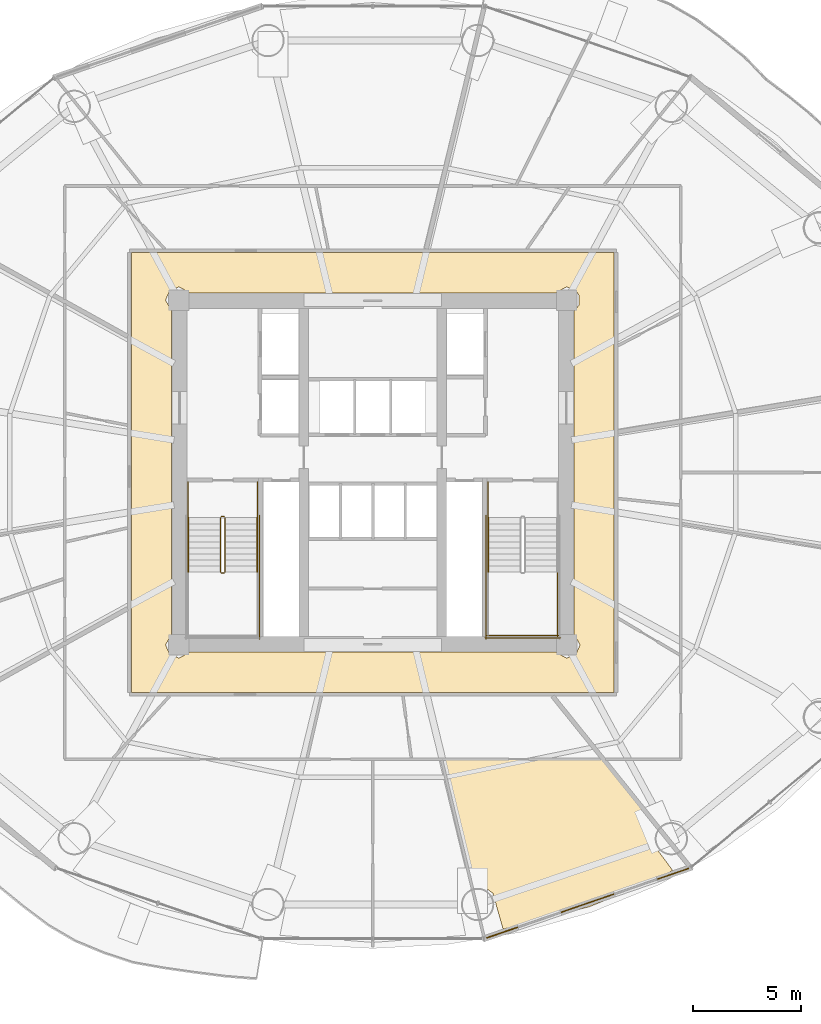
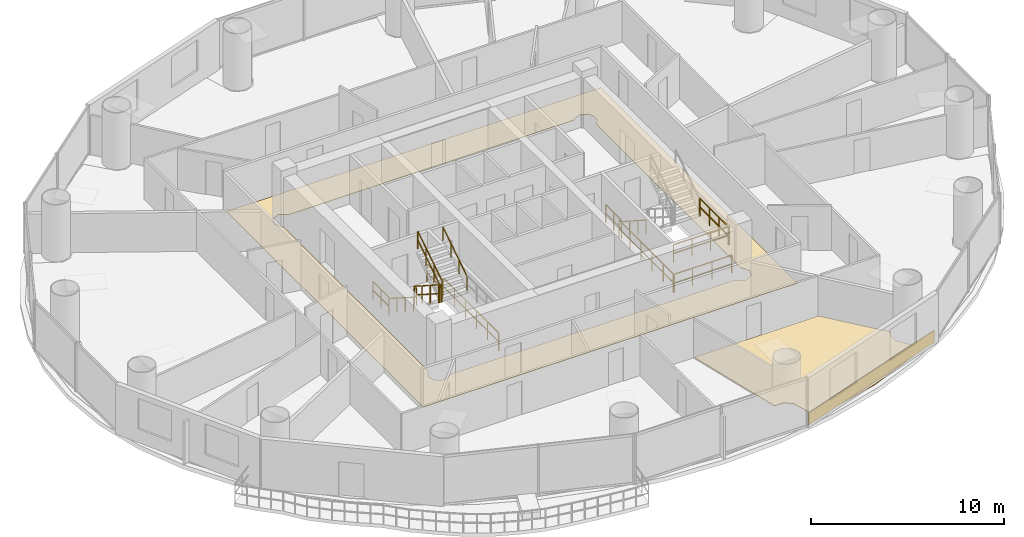
# One storey, part 27 of 29: 15 railings, 3 coverings.
"""IFC4 building model written with IfcOpenShell, lengths in metres."""

from ifc_helpers import new_model, si_unit, direction, frame, origin, origin_2d, place, context, subcontext, project, spatial, polyline, rectangle, outline, extrude, source, transform, mapped, material, layer, layer_set, type_object, element, save


model = new_model("IFC4")

# Units and contexts
model_context = context("Model", 3, precision=1e-05, world=origin(), true_north=direction((-0.2419218956, 0.970295726276)))
body_context = subcontext(model_context, "Body", "Model", "MODEL_VIEW")
ifc_project = project(units=[si_unit("LENGTHUNIT", "METRE"), si_unit("AREAUNIT", "SQUARE_METRE"), si_unit("VOLUMEUNIT", "CUBIC_METRE"), si_unit("PLANEANGLEUNIT", "RADIAN"), si_unit("MASSUNIT", "GRAM", prefix="KILO")], contexts=[model_context])

# Site, building, storey
site_placement = place(None, origin())
site = spatial("IfcSite", under=ifc_project, at=site_placement, CompositionType="ELEMENT")
building_placement = place(site_placement, origin())
building = spatial("IfcBuilding", under=site, at=building_placement, Name="Cobrevalo Terracotta Tower", CompositionType="ELEMENT")
storey_placement = place(building_placement, frame((0.0, 0.0, 126.60009765625)))
storey = spatial("IfcBuildingStorey", under=building, at=storey_placement, Name="L33", CompositionType="ELEMENT", Elevation=126.60009765625)

# Coverings
ifc_material_1 = material(Name="Engineered Brazilian hardwood flooring", Category="wood")
ifc_layer_1 = layer(ifc_material_1, 0.028076171875)
ifc_layer_set_1 = layer_set([ifc_layer_1], Name="Engineered Brazilian hardwood flooring")
covering_type_1 = type_object("IfcCoveringType", Name="Engineered Hardwood Suite Flooring 28", PredefinedType="FLOORING", material=ifc_layer_set_1)
covering_1_placement = place(storey_placement, origin())
element("IfcCovering", 1, at=covering_1_placement, inside=storey, type_object=covering_type_1, Name="Flat L33D Penthouse Family Lounge floor finish", PredefinedType="FLOORING", context=body_context, shape_type="SweptSolid", body=[
    extrude(outline(polyline([(44.05078125, 5.59814453125), (43.578125, 7.261962890625), (43.170166015625, 7.5693359375), (42.62109375, 7.584716796875), (41.210693359375, 13.47509765625), (48.690673828125, 13.47509765625), (51.193359375, 10.36328125), (51.02001953125, 10.0546875), (51.0185546875, 9.543701171875), (51.92431640625, 8.32666015625), (51.161376953125, 7.904052734375), (48.073486328125, 6.641357421875), (44.05078125, 5.59814453125)])), origin(), (0.0, 0.0, 1.0), 0.02978515625),
])
ifc_material_2 = material(Name="Honed terracotta and granite tile", Category="masonry")
ifc_layer_2 = layer(ifc_material_2, 0.034912109375)
ifc_layer_set_2 = layer_set([ifc_layer_2], Name="Honed terracotta and granite tile")
covering_type_2 = type_object("IfcCoveringType", Name="Honed Terracotta & Granite Interior Flooring 35", PredefinedType="FLOORING", material=ifc_layer_set_2)
covering_2_placement = place(storey_placement, origin())
element("IfcCovering", 2, at=covering_2_placement, inside=storey, type_object=covering_type_2, Name="L33 Residential Floor Corridor floor finish", PredefinedType="FLOORING", context=body_context, shape_type="SweptSolid", body=[
    extrude(outline(polyline([(49.205078125, 37.0048828125), (49.205078125, 16.594970703125), (26.794921875, 16.594970703125), (26.794921875, 37.0048828125), (49.205078125, 37.0048828125)]), holes=[polyline([(47.344970703125, 34.298828125), (47.5732421875, 34.5625), (47.5732421875, 35.037353515625), (47.438720703125, 35.23876953125), (47.0, 35.42041015625), (46.498779296875, 35.14501953125), (29.501220703125, 35.14501953125), (29.0, 35.42041015625), (28.561279296875, 35.23876953125), (28.379638671875, 34.800048828125), (28.655029296875, 34.298828125), (28.655029296875, 19.30126953125), (28.379638671875, 18.800048828125), (28.561279296875, 18.361328125), (29.0, 18.1796875), (29.501220703125, 18.455078125), (46.498779296875, 18.455078125), (47.0, 18.1796875), (47.438720703125, 18.361328125), (47.620361328125, 18.800048828125), (47.344970703125, 19.30126953125), (47.344970703125, 34.298828125)])]), origin(), (0.0, 0.0, 1.0), 0.02978515625),
])

# Railings
ifc_material_3 = material(Name="Brushed stainless steel", Category="steel")
railing_type_1 = type_object("IfcRailingType", Name="Stainless Steel Stair Handrail 900", PredefinedType="HANDRAIL", material=ifc_material_3)
railing_1_placement = place(storey_placement, frame((29.425048828125, 24.699951171875, 0.179931640625)))
element("IfcRailing", 3, at=railing_1_placement, inside=storey, type_object=railing_type_1, Name="L33 ST-1 stair handrail 1", PredefinedType="HANDRAIL", context=body_context, shape_type="SweptSolid", body=[
    extrude(rectangle(XDim=0.048095703125, YDim=0.048095703125, at=origin_2d()), frame((0.0, 0.0, 0.8759765625), z_axis=(0.0, -0.841199657755, 0.540724639528), x_axis=(1.0, 0.0, 0.0)), (0.0, 0.0, 1.0), 2.995849609375),
    extrude(rectangle(XDim=0.0419921875, YDim=0.0419921875, at=origin_2d()), origin(), (0.0, 0.0, 1.0), 0.851806640625),
    extrude(rectangle(XDim=0.0419921875, YDim=0.0419921875, at=origin_2d()), frame((0.0, -0.840087890625, 0.5400390625)), (0.0, 0.0, 1.0), 0.851806640625),
    extrude(rectangle(XDim=0.0419921875, YDim=0.0419921875, at=origin_2d()), frame((0.0, -1.679931640625, 1.079833984375)), (0.0, 0.0, 1.0), 0.851806640625),
    extrude(rectangle(XDim=0.0419921875, YDim=0.0419921875, at=origin_2d()), frame((0.0, -2.52001953125, 1.619873046875)), (0.0, 0.0, 1.0), 0.851806640625),
])
railing_2_placement = place(storey_placement, frame((32.64501953125, 22.179931640625, 1.97998046875)))
element("IfcRailing", 4, at=railing_2_placement, inside=storey, type_object=railing_type_1, Name="L33 ST-1 stair handrail 2", PredefinedType="HANDRAIL", context=body_context, shape_type="SweptSolid", body=[
    extrude(rectangle(XDim=0.048095703125, YDim=0.048095703125, at=origin_2d()), frame((0.0, 0.0, 0.8759765625), z_axis=(0.0, 0.841199657755, 0.540724639528), x_axis=(-1.0, 0.0, 0.0)), (0.0, 0.0, 1.0), 2.995849609375),
    extrude(rectangle(XDim=0.0419921875, YDim=0.0419921875, at=origin_2d()), origin(), (0.0, 0.0, 1.0), 0.851806640625),
    extrude(rectangle(XDim=0.0419921875, YDim=0.0419921875, at=origin_2d()), frame((0.0, 0.840087890625, 0.5400390625)), (0.0, 0.0, 1.0), 0.851806640625),
    extrude(rectangle(XDim=0.0419921875, YDim=0.0419921875, at=origin_2d()), frame((0.0, 1.679931640625, 1.079833984375)), (0.0, 0.0, 1.0), 0.851806640625),
    extrude(rectangle(XDim=0.0419921875, YDim=0.0419921875, at=origin_2d()), frame((0.0, 2.52001953125, 1.619873046875)), (0.0, 0.0, 1.0), 0.851806640625),
])
railing_3_placement = place(storey_placement, frame((43.35498046875, 24.699951171875, 0.179931640625)))
element("IfcRailing", 5, at=railing_3_placement, inside=storey, type_object=railing_type_1, Name="L33 ST-2 stair handrail 1", PredefinedType="HANDRAIL", context=body_context, shape_type="SweptSolid", body=[
    extrude(rectangle(XDim=0.048095703125, YDim=0.048095703125, at=origin_2d()), frame((0.0, 0.0, 0.8759765625), z_axis=(0.0, -0.841199657755, 0.540724639528), x_axis=(1.0, 0.0, 0.0)), (0.0, 0.0, 1.0), 2.995849609375),
    extrude(rectangle(XDim=0.0419921875, YDim=0.0419921875, at=origin_2d()), origin(), (0.0, 0.0, 1.0), 0.851806640625),
    extrude(rectangle(XDim=0.0419921875, YDim=0.0419921875, at=origin_2d()), frame((0.0, -0.840087890625, 0.5400390625)), (0.0, 0.0, 1.0), 0.851806640625),
    extrude(rectangle(XDim=0.0419921875, YDim=0.0419921875, at=origin_2d()), frame((0.0, -1.679931640625, 1.079833984375)), (0.0, 0.0, 1.0), 0.851806640625),
    extrude(rectangle(XDim=0.0419921875, YDim=0.0419921875, at=origin_2d()), frame((0.0, -2.52001953125, 1.619873046875)), (0.0, 0.0, 1.0), 0.851806640625),
])
ifc_material_4 = material(Name="Painted galvanized steel", Category="steel")
railing_type_2 = type_object("IfcRailingType", Name="Stair Well Guard Balustrade 1150", PredefinedType="GUARDRAIL", material=ifc_material_4)
railing_4_placement = place(storey_placement, frame((30.925048828125, 24.699951171875, 0.179931640625)))
element("IfcRailing", 6, at=railing_4_placement, inside=storey, type_object=railing_type_2, Name="L33 ST-1 stair guard 1", PredefinedType="GUARDRAIL", context=body_context, shape_type="SweptSolid", body=[
    extrude(rectangle(XDim=0.048095703125, YDim=0.048095703125, at=origin_2d()), frame((0.0, 0.0, 1.1259765625), z_axis=(0.0, -0.841199657755, 0.540724639528), x_axis=(1.0, 0.0, 0.0)), (0.0, 0.0, 1.0), 2.995849609375),
    extrude(rectangle(XDim=0.048095703125, YDim=0.048095703125, at=origin_2d()), frame((0.0, 0.0, 0.574951171875), z_axis=(0.0, -0.841199657755, 0.540724639528), x_axis=(1.0, 0.0, 0.0)), (0.0, 0.0, 1.0), 2.995849609375),
    extrude(rectangle(XDim=0.0419921875, YDim=0.0419921875, at=origin_2d()), origin(), (0.0, 0.0, 1.0), 1.101806640625),
    extrude(rectangle(XDim=0.0419921875, YDim=0.0419921875, at=origin_2d()), frame((0.0, -0.840087890625, 0.5400390625)), (0.0, 0.0, 1.0), 1.101806640625),
    extrude(rectangle(XDim=0.0419921875, YDim=0.0419921875, at=origin_2d()), frame((0.0, -1.679931640625, 1.079833984375)), (0.0, 0.0, 1.0), 1.101806640625),
    extrude(rectangle(XDim=0.0419921875, YDim=0.0419921875, at=origin_2d()), frame((0.0, -2.52001953125, 1.619873046875)), (0.0, 0.0, 1.0), 1.101806640625),
])
railing_5_placement = place(storey_placement, frame((30.97509765625, 22.1298828125, 1.7998046875)))
element("IfcRailing", 7, at=railing_5_placement, inside=storey, type_object=railing_type_2, Name="L33 ST-1 stair guard 2", PredefinedType="GUARDRAIL", context=body_context, shape_type="SweptSolid", body=[
    extrude(rectangle(XDim=0.048095703125, YDim=0.048095703125, at=origin_2d()), frame((0.0, 0.0, 1.1259765625), z_axis=(1.0, 0.0, 0.0), x_axis=(0.0, 1.0, 0.0)), (0.0, 0.0, 1.0), 0.119873046875),
    extrude(rectangle(XDim=0.048095703125, YDim=0.048095703125, at=origin_2d()), frame((0.0, 0.0, 0.574951171875), z_axis=(1.0, 0.0, 0.0), x_axis=(0.0, 1.0, 0.0)), (0.0, 0.0, 1.0), 0.119873046875),
    extrude(rectangle(XDim=0.0419921875, YDim=0.0419921875, at=origin_2d()), origin(), (0.0, 0.0, 1.0), 1.101806640625),
    extrude(rectangle(XDim=0.0419921875, YDim=0.0419921875, at=origin_2d()), frame((0.119873046875, 0.0, 0.0)), (0.0, 0.0, 1.0), 1.101806640625),
])
railing_6_placement = place(storey_placement, frame((31.14501953125, 22.179931640625, 1.97998046875)))
element("IfcRailing", 8, at=railing_6_placement, inside=storey, type_object=railing_type_2, Name="L33 ST-1 stair guard 6", PredefinedType="GUARDRAIL", context=body_context, shape_type="SweptSolid", body=[
    extrude(rectangle(XDim=0.048095703125, YDim=0.048095703125, at=origin_2d()), frame((0.0, 0.0, 1.1259765625), z_axis=(0.0, 0.841199657755, 0.540724639528), x_axis=(-1.0, 0.0, 0.0)), (0.0, 0.0, 1.0), 2.995849609375),
    extrude(rectangle(XDim=0.048095703125, YDim=0.048095703125, at=origin_2d()), frame((0.0, 0.0, 0.574951171875), z_axis=(0.0, 0.841199657755, 0.540724639528), x_axis=(-1.0, 0.0, 0.0)), (0.0, 0.0, 1.0), 2.995849609375),
    extrude(rectangle(XDim=0.0419921875, YDim=0.0419921875, at=origin_2d()), origin(), (0.0, 0.0, 1.0), 1.101806640625),
    extrude(rectangle(XDim=0.0419921875, YDim=0.0419921875, at=origin_2d()), frame((0.0, 0.840087890625, 0.5400390625)), (0.0, 0.0, 1.0), 1.101806640625),
    extrude(rectangle(XDim=0.0419921875, YDim=0.0419921875, at=origin_2d()), frame((0.0, 1.679931640625, 1.079833984375)), (0.0, 0.0, 1.0), 1.101806640625),
    extrude(rectangle(XDim=0.0419921875, YDim=0.0419921875, at=origin_2d()), frame((0.0, 2.52001953125, 1.619873046875)), (0.0, 0.0, 1.0), 1.101806640625),
])
railing_7_placement = place(storey_placement, frame((30.97509765625, 24.75, 0.0)))
element("IfcRailing", 9, at=railing_7_placement, inside=storey, type_object=railing_type_2, Name="L33 ST-1 stair guard 7", PredefinedType="GUARDRAIL", context=body_context, shape_type="SweptSolid", body=[
    extrude(rectangle(XDim=0.048095703125, YDim=0.048095703125, at=origin_2d()), frame((0.0, 0.0, 1.1259765625), z_axis=(1.0, 0.0, 0.0), x_axis=(0.0, 1.0, 0.0)), (0.0, 0.0, 1.0), 0.119873046875),
    extrude(rectangle(XDim=0.048095703125, YDim=0.048095703125, at=origin_2d()), frame((0.0, 0.0, 0.574951171875), z_axis=(1.0, 0.0, 0.0), x_axis=(0.0, 1.0, 0.0)), (0.0, 0.0, 1.0), 0.119873046875),
    extrude(rectangle(XDim=0.0419921875, YDim=0.0419921875, at=origin_2d()), origin(), (0.0, 0.0, 1.0), 1.101806640625),
    extrude(rectangle(XDim=0.0419921875, YDim=0.0419921875, at=origin_2d()), frame((0.119873046875, 0.0, 0.0)), (0.0, 0.0, 1.0), 1.101806640625),
])
for number, where, name in (
    (10, (29.425048828125, 26.35009765625, 0.0), "L33 ST-1 stair guard 8"),
    (11, (32.64501953125, 26.35009765625, 0.0), "L33 ST-1 stair guard 9"),
):
    element("IfcRailing", number, at=place(storey_placement, frame(where)), inside=storey, type_object=railing_type_2, Name=name, PredefinedType="GUARDRAIL", context=body_context, shape_type="SweptSolid", body=[
        extrude(rectangle(XDim=0.048095703125, YDim=0.048095703125, at=origin_2d()), frame((0.0, 0.0, 1.1259765625), z_axis=(0.0, -1.0, 0.0), x_axis=(1.0, 0.0, 0.0)), (0.0, 0.0, 1.0), 1.650146484375),
        extrude(rectangle(XDim=0.048095703125, YDim=0.048095703125, at=origin_2d()), frame((0.0, 0.0, 0.574951171875), z_axis=(0.0, -1.0, 0.0), x_axis=(1.0, 0.0, 0.0)), (0.0, 0.0, 1.0), 1.650146484375),
        extrude(rectangle(XDim=0.0419921875, YDim=0.0419921875, at=origin_2d()), origin(), (0.0, 0.0, 1.0), 1.101806640625),
        extrude(rectangle(XDim=0.0419921875, YDim=0.0419921875, at=origin_2d()), frame((0.0, -0.8251953125, 0.0)), (0.0, 0.0, 1.0), 1.101806640625),
        extrude(rectangle(XDim=0.0419921875, YDim=0.0419921875, at=origin_2d()), frame((0.0, -1.650146484375, 0.0)), (0.0, 0.0, 1.0), 1.101806640625),
    ])
railing_8_placement = place(storey_placement, frame((32.7451171875, 24.800048828125, 0.0)))
element("IfcRailing", 12, at=railing_8_placement, inside=storey, type_object=railing_type_2, Name="L33 ST-1 stair guard 11", PredefinedType="GUARDRAIL", context=body_context, shape_type="SweptSolid", body=[
    extrude(rectangle(XDim=0.048095703125, YDim=0.048095703125, at=origin_2d()), frame((0.0, 0.0, 1.1259765625), z_axis=(0.0, -1.0, 0.0), x_axis=(1.0, 0.0, 0.0)), (0.0, 0.0, 1.0), 5.72509765625),
    extrude(rectangle(XDim=0.048095703125, YDim=0.048095703125, at=origin_2d()), frame((0.0, 0.0, 0.574951171875), z_axis=(0.0, -1.0, 0.0), x_axis=(1.0, 0.0, 0.0)), (0.0, 0.0, 1.0), 5.72509765625),
    extrude(rectangle(XDim=0.0419921875, YDim=0.0419921875, at=origin_2d()), origin(), (0.0, 0.0, 1.0), 1.101806640625),
    extrude(rectangle(XDim=0.0419921875, YDim=0.0419921875, at=origin_2d()), frame((0.0, -1.14501953125, 0.0)), (0.0, 0.0, 1.0), 1.101806640625),
    extrude(rectangle(XDim=0.0419921875, YDim=0.0419921875, at=origin_2d()), frame((0.0, -2.2900390625, 0.0)), (0.0, 0.0, 1.0), 1.101806640625),
    extrude(rectangle(XDim=0.0419921875, YDim=0.0419921875, at=origin_2d()), frame((0.0, -3.43505859375, 0.0)), (0.0, 0.0, 1.0), 1.101806640625),
    extrude(rectangle(XDim=0.0419921875, YDim=0.0419921875, at=origin_2d()), frame((0.0, -4.580078125, 0.0)), (0.0, 0.0, 1.0), 1.101806640625),
    extrude(rectangle(XDim=0.0419921875, YDim=0.0419921875, at=origin_2d()), frame((0.0, -5.72509765625, 0.0)), (0.0, 0.0, 1.0), 1.101806640625),
])
railing_9_placement = place(storey_placement, frame((46.574951171875, 22.179931640625, 1.7998046875)))
element("IfcRailing", 13, at=railing_9_placement, inside=storey, type_object=railing_type_2, Name="L33 ST-2 stair guard 4", PredefinedType="GUARDRAIL", context=body_context, shape_type="SweptSolid", body=[
    extrude(rectangle(XDim=0.048095703125, YDim=0.048095703125, at=origin_2d()), frame((0.0, 0.0, 1.1259765625), z_axis=(0.0, -1.0, 0.0), x_axis=(1.0, 0.0, 0.0)), (0.0, 0.0, 1.0), 3.0048828125),
    extrude(rectangle(XDim=0.048095703125, YDim=0.048095703125, at=origin_2d()), frame((0.0, 0.0, 0.574951171875), z_axis=(0.0, -1.0, 0.0), x_axis=(1.0, 0.0, 0.0)), (0.0, 0.0, 1.0), 3.0048828125),
    extrude(rectangle(XDim=0.0419921875, YDim=0.0419921875, at=origin_2d()), origin(), (0.0, 0.0, 1.0), 1.101806640625),
    extrude(rectangle(XDim=0.0419921875, YDim=0.0419921875, at=origin_2d()), frame((0.0, -1.001708984375, 0.0)), (0.0, 0.0, 1.0), 1.101806640625),
    extrude(rectangle(XDim=0.0419921875, YDim=0.0419921875, at=origin_2d()), frame((0.0, -2.003173828125, 0.0)), (0.0, 0.0, 1.0), 1.101806640625),
    extrude(rectangle(XDim=0.0419921875, YDim=0.0419921875, at=origin_2d()), frame((0.0, -3.0048828125, 0.0)), (0.0, 0.0, 1.0), 1.101806640625),
])
railing_10_placement = place(storey_placement, frame((43.304931640625, 19.22509765625, 1.7998046875)))
element("IfcRailing", 14, at=railing_10_placement, inside=storey, type_object=railing_type_2, Name="L33 ST-2 stair guard 5", PredefinedType="GUARDRAIL", context=body_context, shape_type="SweptSolid", body=[
    extrude(rectangle(XDim=0.048095703125, YDim=0.048095703125, at=origin_2d()), frame((0.0, 0.0, 1.1259765625), z_axis=(1.0, 0.0, 0.0), x_axis=(0.0, 1.0, 0.0)), (0.0, 0.0, 1.0), 3.320068359375),
    extrude(rectangle(XDim=0.048095703125, YDim=0.048095703125, at=origin_2d()), frame((0.0, 0.0, 0.574951171875), z_axis=(1.0, 0.0, 0.0), x_axis=(0.0, 1.0, 0.0)), (0.0, 0.0, 1.0), 3.320068359375),
    extrude(rectangle(XDim=0.0419921875, YDim=0.0419921875, at=origin_2d()), origin(), (0.0, 0.0, 1.0), 1.101806640625),
    extrude(rectangle(XDim=0.0419921875, YDim=0.0419921875, at=origin_2d()), frame((1.106689453125, 0.0, 0.0)), (0.0, 0.0, 1.0), 1.101806640625),
    extrude(rectangle(XDim=0.0419921875, YDim=0.0419921875, at=origin_2d()), frame((2.21337890625, 0.0, 0.0)), (0.0, 0.0, 1.0), 1.101806640625),
    extrude(rectangle(XDim=0.0419921875, YDim=0.0419921875, at=origin_2d()), frame((3.320068359375, 0.0, 0.0)), (0.0, 0.0, 1.0), 1.101806640625),
])
railing_11_placement = place(storey_placement, frame((43.35498046875, 26.35009765625, 0.0)))
element("IfcRailing", 15, at=railing_11_placement, inside=storey, type_object=railing_type_2, Name="L33 ST-2 stair guard 8", PredefinedType="GUARDRAIL", context=body_context, shape_type="SweptSolid", body=[
    extrude(rectangle(XDim=0.048095703125, YDim=0.048095703125, at=origin_2d()), frame((0.0, 0.0, 1.1259765625), z_axis=(0.0, -1.0, 0.0), x_axis=(1.0, 0.0, 0.0)), (0.0, 0.0, 1.0), 1.650146484375),
    extrude(rectangle(XDim=0.048095703125, YDim=0.048095703125, at=origin_2d()), frame((0.0, 0.0, 0.574951171875), z_axis=(0.0, -1.0, 0.0), x_axis=(1.0, 0.0, 0.0)), (0.0, 0.0, 1.0), 1.650146484375),
    extrude(rectangle(XDim=0.0419921875, YDim=0.0419921875, at=origin_2d()), origin(), (0.0, 0.0, 1.0), 1.101806640625),
    extrude(rectangle(XDim=0.0419921875, YDim=0.0419921875, at=origin_2d()), frame((0.0, -0.8251953125, 0.0)), (0.0, 0.0, 1.0), 1.101806640625),
    extrude(rectangle(XDim=0.0419921875, YDim=0.0419921875, at=origin_2d()), frame((0.0, -1.650146484375, 0.0)), (0.0, 0.0, 1.0), 1.101806640625),
])
railing_12_placement = place(storey_placement, frame((43.2548828125, 24.800048828125, 0.0)))
element("IfcRailing", 16, at=railing_12_placement, inside=storey, type_object=railing_type_2, Name="L33 ST-2 stair guard 10", PredefinedType="GUARDRAIL", context=body_context, shape_type="SweptSolid", body=[
    extrude(rectangle(XDim=0.048095703125, YDim=0.048095703125, at=origin_2d()), frame((0.0, 0.0, 1.1259765625), z_axis=(0.0, -1.0, 0.0), x_axis=(1.0, 0.0, 0.0)), (0.0, 0.0, 1.0), 5.72509765625),
    extrude(rectangle(XDim=0.048095703125, YDim=0.048095703125, at=origin_2d()), frame((0.0, 0.0, 0.574951171875), z_axis=(0.0, -1.0, 0.0), x_axis=(1.0, 0.0, 0.0)), (0.0, 0.0, 1.0), 5.72509765625),
    extrude(rectangle(XDim=0.0419921875, YDim=0.0419921875, at=origin_2d()), origin(), (0.0, 0.0, 1.0), 1.101806640625),
    extrude(rectangle(XDim=0.0419921875, YDim=0.0419921875, at=origin_2d()), frame((0.0, -1.14501953125, 0.0)), (0.0, 0.0, 1.0), 1.101806640625),
    extrude(rectangle(XDim=0.0419921875, YDim=0.0419921875, at=origin_2d()), frame((0.0, -2.2900390625, 0.0)), (0.0, 0.0, 1.0), 1.101806640625),
    extrude(rectangle(XDim=0.0419921875, YDim=0.0419921875, at=origin_2d()), frame((0.0, -3.43505859375, 0.0)), (0.0, 0.0, 1.0), 1.101806640625),
    extrude(rectangle(XDim=0.0419921875, YDim=0.0419921875, at=origin_2d()), frame((0.0, -4.580078125, 0.0)), (0.0, 0.0, 1.0), 1.101806640625),
    extrude(rectangle(XDim=0.0419921875, YDim=0.0419921875, at=origin_2d()), frame((0.0, -5.72509765625, 0.0)), (0.0, 0.0, 1.0), 1.101806640625),
])
railing_13_placement = place(storey_placement, frame((43.205078125, 19.125, 0.0)))
element("IfcRailing", 17, at=railing_13_placement, inside=storey, type_object=railing_type_2, Name="L33 ST-2 stair guard 12", PredefinedType="GUARDRAIL", context=body_context, shape_type="SweptSolid", body=[
    extrude(rectangle(XDim=0.048095703125, YDim=0.048095703125, at=origin_2d()), frame((0.0, 0.0, 1.1259765625), z_axis=(1.0, 0.0, 0.0), x_axis=(0.0, 1.0, 0.0)), (0.0, 0.0, 1.0), 3.52001953125),
    extrude(rectangle(XDim=0.048095703125, YDim=0.048095703125, at=origin_2d()), frame((0.0, 0.0, 0.574951171875), z_axis=(1.0, 0.0, 0.0), x_axis=(0.0, 1.0, 0.0)), (0.0, 0.0, 1.0), 3.52001953125),
    extrude(rectangle(XDim=0.0419921875, YDim=0.0419921875, at=origin_2d()), origin(), (0.0, 0.0, 1.0), 1.101806640625),
    extrude(rectangle(XDim=0.0419921875, YDim=0.0419921875, at=origin_2d()), frame((1.17333984375, 0.0, 0.0)), (0.0, 0.0, 1.0), 1.101806640625),
    extrude(rectangle(XDim=0.0419921875, YDim=0.0419921875, at=origin_2d()), frame((2.3466796875, 0.0, 0.0)), (0.0, 0.0, 1.0), 1.101806640625),
    extrude(rectangle(XDim=0.0419921875, YDim=0.0419921875, at=origin_2d()), frame((3.52001953125, 0.0, 0.0)), (0.0, 0.0, 1.0), 1.101806640625),
])

# Covering
ifc_material_5 = material(Name="Glazed terracotta facade cladding tile", Category="masonry")
ifc_layer_3 = layer(ifc_material_5, 0.044921875)
ifc_layer_set_3 = layer_set([ifc_layer_3], Name="Glazed terracotta facade cladding tile")
covering_type_3 = type_object("IfcCoveringType", Name="Architectural terracotta rainscreen spandrel cladding 45 mm", PredefinedType="CLADDING", material=ifc_layer_set_3)
shared_shape = source(origin(), body_context, "Body", "SweptSolid", [
    extrude(rectangle(XDim=9.928955078125, YDim=0.044921875, at=origin_2d()), origin(), (0.0, 0.0, 1.0), 0.760009765625),
])
covering_3_placement = place(storey_placement, frame((47.972412109375, 6.8017578125, 0.0400390625), z_axis=(0.0, 0.0, 1.0), x_axis=(0.945596395206, 0.325342062104, 0.0)))
element("IfcCovering", 18, at=covering_3_placement, inside=storey, type_object=covering_type_3, Name="L33 terracotta spandrel cladding S13", PredefinedType="CLADDING", context=body_context, shape_type="MappedRepresentation", body=[
    mapped(shared_shape, transform((0.0, 0.0, 0.0), scale=1.0)),
])

save(model, "model.ifc")
